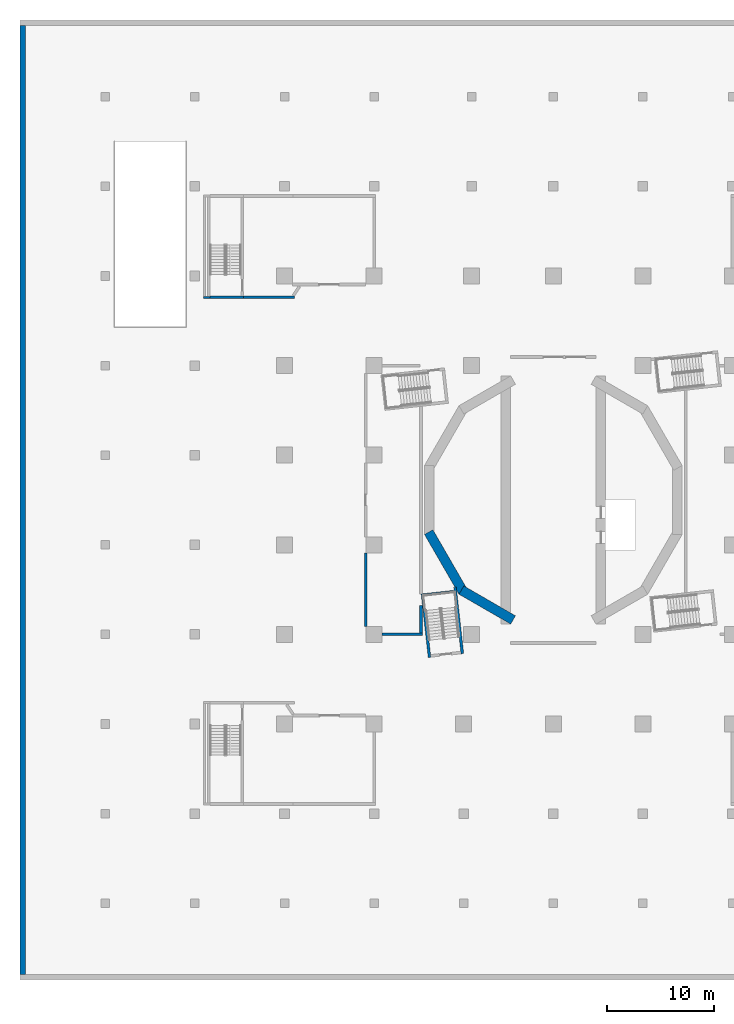
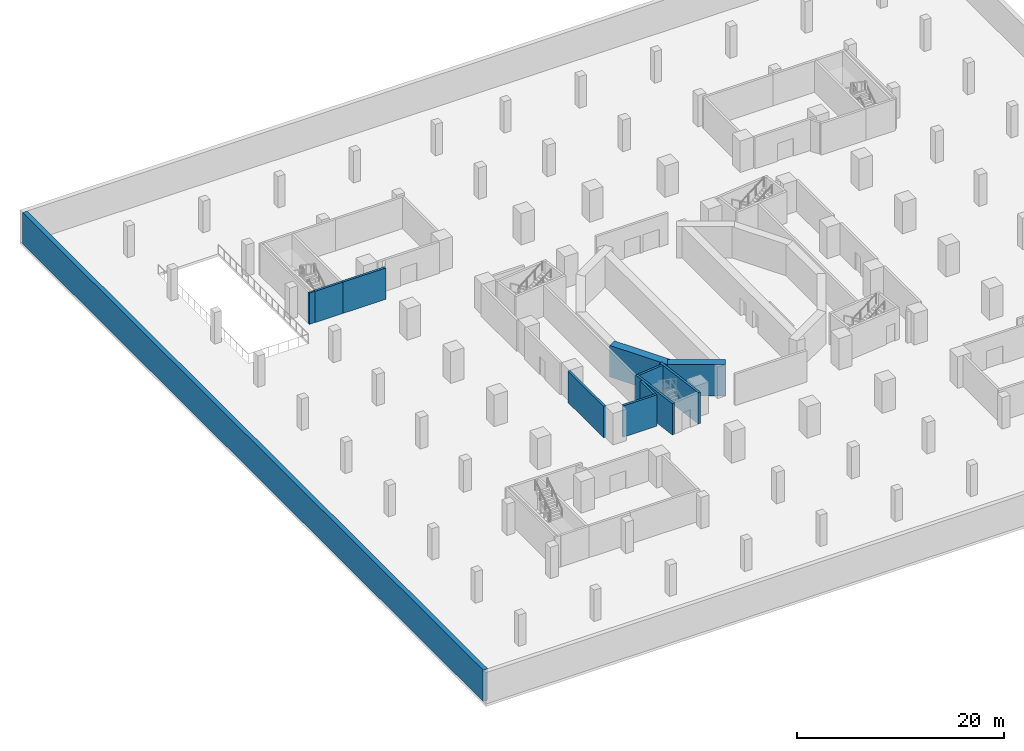
# One storey, part 5 of 18: 12 walls.
"""IFC4 building model written with IfcOpenShell, lengths in metres."""

from ifc_helpers import new_model, si_unit, direction, frame, frame_2d, origin, place, context, subcontext, project, spatial, rectangle, extrude, material, layer, layer_set, type_object, element, save


model = new_model("IFC4")

# Units and contexts
model_context = context("Model", 3, precision=1e-05, world=origin(), true_north=direction((0.0, 1.0)))
body_context = subcontext(model_context, "Body", "Model", "MODEL_VIEW")
ifc_project = project(units=[si_unit("LENGTHUNIT", "METRE"), si_unit("AREAUNIT", "SQUARE_METRE"), si_unit("VOLUMEUNIT", "CUBIC_METRE"), si_unit("PLANEANGLEUNIT", "RADIAN"), si_unit("MASSUNIT", "GRAM", prefix="KILO")], contexts=[model_context])

# Site, building, storey
site_placement = place(None, origin())
site = spatial("IfcSite", under=ifc_project, at=site_placement, CompositionType="ELEMENT")
building_placement = place(site_placement, origin())
building = spatial("IfcBuilding", under=site, at=building_placement, Name="Cantera Rosa Tower", CompositionType="ELEMENT")
storey_placement = place(building_placement, frame((0.0, 0.0, -9.0)))
storey = spatial("IfcBuildingStorey", under=building, at=storey_placement, Name="B2", CompositionType="ELEMENT", Elevation=-9.0)

# Walls
ifc_material_1 = material(Name="Masonry blockwork", Category="masonry")
ifc_layer_1 = layer(ifc_material_1, 0.199951171875)
ifc_layer_set_1 = layer_set([ifc_layer_1], Name="Blockwork partition 200")
wall_type_1 = type_object("IfcWallType", Name="Blockwork partition 200", PredefinedType="PARTITIONING", material=ifc_layer_set_1)
wall_1_placement = place(storey_placement, frame((-32.800048828125, 19.0, 0.0), z_axis=(0.0, 0.0, 1.0), x_axis=(1.0, 0.0, 0.0)))
element("IfcWall", 1, at=wall_1_placement, inside=storey, type_object=wall_type_1, Name="Partition B2-27", PredefinedType="PARTITIONING", context=body_context, shape_type="SweptSolid", body=[
    extrude(rectangle(XDim=0.625, YDim=0.199951171875, at=frame_2d((0.3125, 0.0))), origin(), (0.0, 0.0, 1.0), 3.699951171875),
])
ifc_material_2 = material(Name="Concrete C70/85", Category="concrete")
ifc_layer_2 = layer(ifc_material_2, 0.89990234375)
ifc_layer_set_2 = layer_set([ifc_layer_2], Name="Drum wall 900")
wall_type_2 = type_object("IfcWallType", Name="Drum wall 900", PredefinedType="SHEAR", material=ifc_layer_set_2)
wall_2_placement = place(storey_placement, frame((-3.77490234375, -11.242919921875, 0.0), z_axis=(0.0, 0.0, 1.0), x_axis=(-0.866026961591, 0.49999730179, 0.0)))
element("IfcWall", 2, at=wall_2_placement, inside=storey, type_object=wall_type_2, Name="Drum wall west 1 B2", PredefinedType="SHEAR", context=body_context, shape_type="SweptSolid", body=[
    extrude(rectangle(XDim=5.58740234375, YDim=0.89990234375, at=frame_2d((2.793701171875, 0.0))), origin(), (0.0, 0.0, 1.0), 3.699951171875),
])
wall_3_placement = place(storey_placement, frame((-8.44921875, -8.61376953125, 0.0), z_axis=(0.0, 0.0, 1.0), x_axis=(-0.499990282633, 0.866031014036, 0.0)))
element("IfcWall", 3, at=wall_3_placement, inside=storey, type_object=wall_type_2, Name="Drum wall west 2 B2", PredefinedType="SHEAR", context=body_context, shape_type="SweptSolid", body=[
    extrude(rectangle(XDim=6.470458984375, YDim=0.89990234375, at=frame_2d((3.2353515625, 0.0))), origin(), (0.0, 0.0, 1.0), 3.699951171875),
])
ifc_material_3 = material(Name="Concrete C50/60", Category="concrete")
ifc_layer_3 = layer(ifc_material_3, 0.25)
ifc_layer_set_3 = layer_set([ifc_layer_3], Name="External stair wall 250")
wall_type_3 = type_object("IfcWallType", Name="External stair wall 250", PredefinedType="SOLIDWALL", material=ifc_layer_set_3)
wall_4_placement = place(storey_placement, frame((-29.02490234375, 19.0, 0.0), z_axis=(0.0, 0.0, 1.0), x_axis=(-1.0, 0.0, 0.0)))
element("IfcWall", 4, at=wall_4_placement, inside=storey, type_object=wall_type_3, Name="Stair wall B2-28", PredefinedType="SOLIDWALL", context=body_context, shape_type="SweptSolid", body=[
    extrude(rectangle(XDim=3.150146484375, YDim=0.25, at=frame_2d((1.5751953125, 0.0))), origin(), (0.0, 0.0, 1.0), 3.699951171875),
])
ifc_material_4 = material(Name="Masonry blockwork", Category="masonry")
ifc_layer_4 = layer(ifc_material_4, 0.25)
ifc_layer_set_4 = layer_set([ifc_layer_4], Name="Fire-rated external wall 250")
wall_type_4 = type_object("IfcWallType", Name="Fire-rated external wall 250", PredefinedType="PARTITIONING", material=ifc_layer_set_4)
wall_5_placement = place(storey_placement, frame((-16.050048828125, -12.60009765625, 0.0), z_axis=(0.0, 0.0, 1.0), x_axis=(1.0, 0.0, 0.0)))
element("IfcWall", 5, at=wall_5_placement, inside=storey, type_object=wall_type_4, Name="Fire wall B2-6", PredefinedType="PARTITIONING", context=body_context, shape_type="SweptSolid", body=[
    extrude(rectangle(XDim=3.775146484375, YDim=0.25, at=frame_2d((1.8876953125, 0.0))), origin(), (0.0, 0.0, 1.0), 3.699951171875),
])
wall_6_placement = place(storey_placement, frame((-12.39990234375, -12.47509765625, 0.0), z_axis=(0.0, 0.0, 1.0), x_axis=(0.0, 1.0, 0.0)))
element("IfcWall", 6, at=wall_6_placement, inside=storey, type_object=wall_type_4, Name="Fire wall B2-14", PredefinedType="PARTITIONING", context=body_context, shape_type="SweptSolid", body=[
    extrude(rectangle(XDim=2.594482421875, YDim=0.25, at=frame_2d((1.29736328125, 0.0))), origin(), (0.0, 0.0, 1.0), 3.699951171875),
])
wall_7_placement = place(storey_placement, frame((-29.02490234375, 19.0, 0.0), z_axis=(0.0, 0.0, 1.0), x_axis=(1.0, 0.0, 0.0)))
element("IfcWall", 7, at=wall_7_placement, inside=storey, type_object=wall_type_4, Name="Fire wall B2-29", PredefinedType="PARTITIONING", context=body_context, shape_type="SweptSolid", body=[
    extrude(rectangle(XDim=4.75, YDim=0.25, at=frame_2d((2.375, 0.0))), origin(), (0.0, 0.0, 1.0), 3.699951171875),
])
ifc_material_5 = material(Name="Masonry blockwork", Category="masonry")
ifc_layer_5 = layer(ifc_material_5, 0.25)
ifc_layer_set_5 = layer_set([ifc_layer_5], Name="Fire-rated wall 250")
wall_type_5 = type_object("IfcWallType", Name="Fire-rated wall 250", PredefinedType="PARTITIONING", material=ifc_layer_set_5)
wall_8_placement = place(storey_placement, frame((-17.60009765625, -11.85009765625, 0.0), z_axis=(0.0, 0.0, 1.0), x_axis=(0.0, 1.0, 0.0)))
element("IfcWall", 8, at=wall_8_placement, inside=storey, type_object=wall_type_5, Name="Fire wall B2-11", PredefinedType="PARTITIONING", context=body_context, shape_type="SweptSolid", body=[
    extrude(rectangle(XDim=6.900146484375, YDim=0.25, at=frame_2d((3.4501953125, 0.0))), origin(), (0.0, 0.0, 1.0), 3.699951171875),
])
ifc_material_6 = material(Name="Concrete C50/60", Category="concrete")
ifc_layer_6 = layer(ifc_material_6, 0.25)
ifc_layer_set_6 = layer_set([ifc_layer_6], Name="RC stair wall 250 C50/60")
wall_type_6 = type_object("IfcWallType", Name="RC stair wall 250", PredefinedType="SOLIDWALL", material=ifc_layer_set_6)
wall_9_placement = place(storey_placement, frame((-11.609619140625, -14.752685546875, 0.0), z_axis=(0.0, 0.0, 1.0), x_axis=(-0.110310943534, 0.993897125329, 0.0)))
element("IfcWall", 9, at=wall_9_placement, inside=storey, type_object=wall_type_6, Name="Stair wall ST-13 B2-2", PredefinedType="SOLIDWALL", context=body_context, shape_type="SweptSolid", body=[
    extrude(rectangle(XDim=6.0, YDim=0.25, at=frame_2d((3.0, 0.0))), origin(), (0.0, 0.0, 1.0), 3.699951171875),
])
wall_10_placement = place(storey_placement, frame((-12.133544921875, -8.899658203125, 0.0), z_axis=(0.0, 0.0, 1.0), x_axis=(0.993904609394, 0.110243491536, 0.0)))
element("IfcWall", 10, at=wall_10_placement, inside=storey, type_object=wall_type_6, Name="Stair wall ST-13 B2-3", PredefinedType="SOLIDWALL", context=body_context, shape_type="SweptSolid", body=[
    extrude(rectangle(XDim=2.85009765625, YDim=0.25, at=frame_2d((1.425048828125, 0.0))), origin(), (0.0, 0.0, 1.0), 3.699951171875),
])
wall_11_placement = place(storey_placement, frame((-9.22021484375, -8.17822265625, 0.0), z_axis=(0.0, 0.0, 1.0), x_axis=(0.110299055694, -0.993898444668, 0.0)))
element("IfcWall", 11, at=wall_11_placement, inside=storey, type_object=wall_type_6, Name="Stair wall ST-13 B2-4", PredefinedType="SOLIDWALL", context=body_context, shape_type="SweptSolid", body=[
    extrude(rectangle(XDim=6.270751953125, YDim=0.25, at=frame_2d((3.13525390625, 0.0))), origin(), (0.0, 0.0, 1.0), 3.699951171875),
])
ifc_material_7 = material(Name="Concrete C40/50", Category="concrete")
ifc_layer_7 = layer(ifc_material_7, 0.5)
ifc_layer_set_7 = layer_set([ifc_layer_7], Name="Retaining wall 500")
wall_type_7 = type_object("IfcWallType", Name="Retaining wall 500", PredefinedType="SOLIDWALL", material=ifc_layer_set_7)
wall_12_placement = place(storey_placement, frame((-49.75, -44.5, 0.0), z_axis=(0.0, 0.0, 1.0), x_axis=(0.0, 1.0, 0.0)))
element("IfcWall", 12, at=wall_12_placement, inside=storey, type_object=wall_type_7, Name="Retaining wall W B2", PredefinedType="SOLIDWALL", context=body_context, shape_type="SweptSolid", body=[
    extrude(rectangle(XDim=89.0, YDim=0.5, at=frame_2d((44.5, 0.0))), origin(), (0.0, 0.0, 1.0), 3.699951171875),
])

save(model, "model.ifc")
